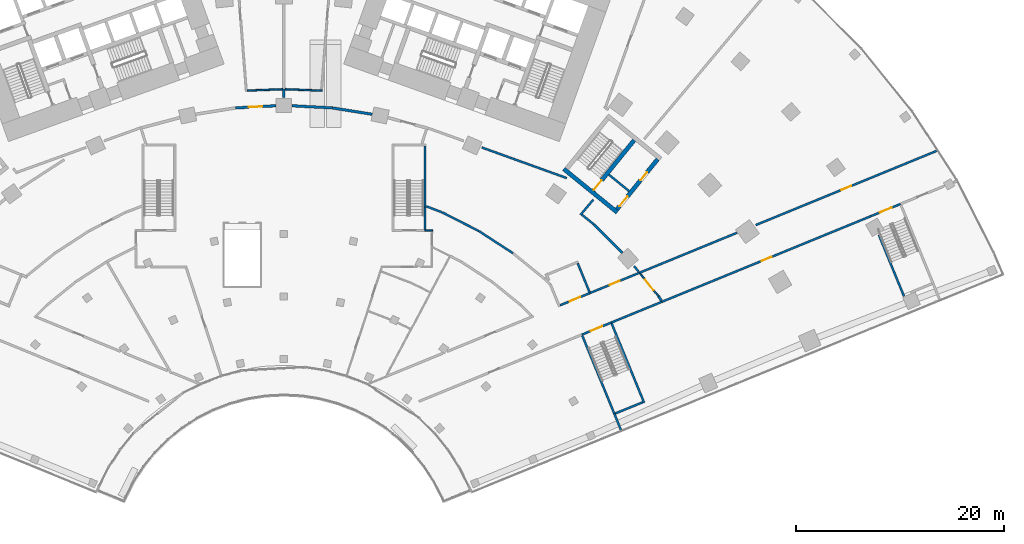
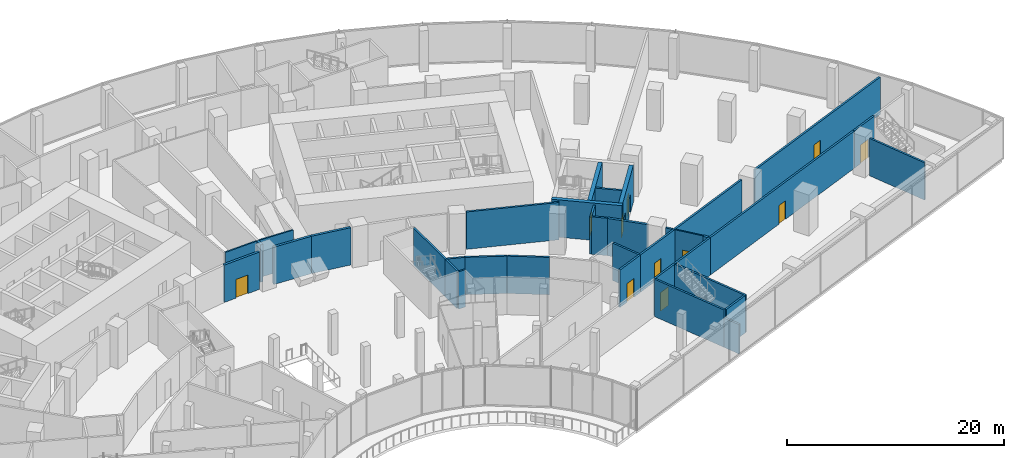
# One storey, part 26 of 40: 37 walls, 11 doors, 11 openings.
"""IFC4 building model written with IfcOpenShell, lengths in metres."""

import ifcopenshell
import ifcopenshell.guid

model = None  # the IFC model being written
_history = None  # IfcOwnerHistory: only IFC2X3 demands one
_inside = {}  # id of a spatial element -> (the spatial element, [elements in it])
_under = {}  # id of a project, library or spatial element -> (it, [spatial elements below it])
_declared = {}  # id of a project -> (the project, [libraries it declares])
_typed = {}  # id of a type object -> (the type object, [elements of that type])
_made_of = {}  # id of a material, layer set ... -> (it, [elements and type objects made of it])


def new_model(schema):
    """Start an empty IFC model of exactly this schema.

    Asked for "IFC4X3", IfcOpenShell would pick the latest addendum, in which some entities
    have other attributes; the version numbers below select the first issue.
    IFC2X3 requires an IfcOwnerHistory on every rooted entity: one is made here for all.
    """
    global model, _history
    if schema == "IFC4X3":
        model = ifcopenshell.file(schema_version=(4, 3, 0, 0))
    else:
        model = ifcopenshell.file(schema=schema)
    _inside.clear()
    _under.clear()
    _declared.clear()
    _typed.clear()
    _made_of.clear()
    _history = None
    if model.schema == "IFC2X3":
        org = make("IfcOrganization", Name="unknown")
        user = make(
            "IfcPersonAndOrganization",
            ThePerson=make("IfcPerson", FamilyName="unknown"),
            TheOrganization=org,
        )
        app = make(
            "IfcApplication",
            ApplicationDeveloper=org,
            Version="unknown",
            ApplicationFullName="unknown",
            ApplicationIdentifier="unknown",
        )
        _history = make(
            "IfcOwnerHistory",
            OwningUser=user,
            OwningApplication=app,
            ChangeAction="ADDED",
            CreationDate=0,
        )
    return model


def make(cls, **values):
    """One entity of the class cls with the attributes given. An attribute that is None is left unset."""
    return model.create_entity(
        cls, **{name: value for name, value in values.items() if value is not None}
    )


def rooted(cls, **values):
    """An entity with a GlobalId (a new one), such as an element, a storey or a relation."""
    return make(cls, GlobalId=ifcopenshell.guid.new(), OwnerHistory=_history, **values)


def si_unit(unit_type, name, prefix=None):
    """IfcSIUnit, for example si_unit("LENGTHUNIT", "METRE", prefix="MILLI")."""
    return make("IfcSIUnit", UnitType=unit_type, Prefix=prefix, Name=name)


def assignment(units):
    """IfcUnitAssignment: the units of a project."""
    return None if units is None else make("IfcUnitAssignment", Units=units)


def point(xyz):
    """IfcCartesianPoint."""
    return None if xyz is None else make("IfcCartesianPoint", Coordinates=xyz)


def direction(xyz):
    """IfcDirection."""
    return None if xyz is None else make("IfcDirection", DirectionRatios=xyz)


def frame(location, z_axis=None, x_axis=None):
    """IfcAxis2Placement3D, a coordinate frame: its origin and axes. An axis left out is left unset."""
    return make(
        "IfcAxis2Placement3D",
        Location=point(location),
        Axis=direction(z_axis),
        RefDirection=direction(x_axis),
    )


def frame_2d(location, x_axis=None):
    """IfcAxis2Placement2D, a coordinate frame in the plane: its origin and x axis."""
    return make(
        "IfcAxis2Placement2D", Location=point(location), RefDirection=direction(x_axis)
    )


def origin():
    """The frame at (0, 0, 0) with its axes left unset."""
    return frame((0.0, 0.0, 0.0))


def place(relative_to, where):
    """IfcLocalPlacement: puts the frame where relative to a parent placement (None: the world)."""
    return make(
        "IfcLocalPlacement", PlacementRelTo=relative_to, RelativePlacement=where
    )


def context(
    kind, dimensions, precision=None, world=None, true_north=None, identifier=None
):
    """IfcGeometricRepresentationContext, for example the 3D "Model" context."""
    return make(
        "IfcGeometricRepresentationContext",
        ContextIdentifier=identifier,
        ContextType=kind,
        CoordinateSpaceDimension=dimensions,
        Precision=precision,
        WorldCoordinateSystem=world,
        TrueNorth=true_north,
    )


def subcontext(parent, identifier, kind, view, scale=None):
    """IfcGeometricRepresentationSubContext, for example "Body" below "Model"."""
    return make(
        "IfcGeometricRepresentationSubContext",
        ContextIdentifier=identifier,
        ContextType=kind,
        ParentContext=parent,
        TargetScale=scale,
        TargetView=view,
    )


def project(units=None, contexts=None):
    """IfcProject with its units and contexts."""
    return rooted(
        "IfcProject",
        Name="project",
        RepresentationContexts=contexts,
        UnitsInContext=assignment(units),
    )


def spatial(cls, under=None, at=None, **own):
    """A site, building, storey or space (cls), placed at a placement, below another one or the project."""
    s = rooted(cls, ObjectPlacement=at, **own)
    if under is not None:
        _under.setdefault(under.id(), (under, []))[1].append(s)
    return s


def profile(cls, at=None, kind="AREA", **sizes):
    """A parametric profile (cls). Its sizes go by their IFC names, for example OverallWidth=200.0."""
    return make(cls, ProfileType=kind, Position=at, **sizes)


def rectangle(**sizes):
    """IfcRectangleProfileDef."""
    return profile("IfcRectangleProfileDef", **sizes)


def extrude(swept, where, along, depth):
    """IfcExtrudedAreaSolid: the profile swept, set in the frame where, extruded along a direction by depth."""
    return make(
        "IfcExtrudedAreaSolid",
        SweptArea=swept,
        Position=where,
        ExtrudedDirection=direction(along),
        Depth=depth,
    )


def shape(context_of_items, identifier, shape_type, items):
    """IfcShapeRepresentation: the items that make up one representation, for example the "Body"."""
    return make(
        "IfcShapeRepresentation",
        ContextOfItems=context_of_items,
        RepresentationIdentifier=identifier,
        RepresentationType=shape_type,
        Items=items,
    )


def material(Name=None, Category=None):
    """IfcMaterial."""
    return make("IfcMaterial", Name=Name, Category=Category)


def layer(
    of_material, thickness, ventilated=None, Name=None, Category=None, Priority=None
):
    """IfcMaterialLayer: one layer of a wall or slab, of a material (None: an air gap)."""
    return make(
        "IfcMaterialLayer",
        Material=of_material,
        LayerThickness=thickness,
        IsVentilated=ventilated,
        Name=Name,
        Category=Category,
        Priority=Priority,
    )


def layer_set(layers, Name=None):
    """IfcMaterialLayerSet."""
    return make("IfcMaterialLayerSet", MaterialLayers=layers, LayerSetName=Name)


def made_of(thing, what):
    """Note that an element or type object is made of a material, layer set ...; save() writes the relation."""
    if what is not None:
        _made_of.setdefault(what.id(), (what, []))[1].append(thing)
    return thing


def type_object(cls, material=None, **own):
    """A type object (cls), such as IfcWallType, which elements share."""
    return made_of(rooted(cls, **own), material)


def element(
    cls,
    number,
    at=None,
    inside=None,
    cuts=None,
    type_object=None,
    material=None,
    context=None,
    identifier="Body",
    shape_type=None,
    held_by="IfcProductDefinitionShape",
    body=None,
    shapes=None,
    **own,
):
    """One element of the class cls, such as IfcWall. Its Tag is "e" and its number.

    at: its placement. inside: the storey or other place that contains it. cuts: it is an
    opening in that element (IfcRelVoidsElement). A single representation is given by context,
    identifier, shape_type and body (its items); several are given by shapes. held_by: the class
    of the entity that holds the representations. save() writes the other relations.
    """
    e = rooted(cls, Tag="e%d" % number, ObjectPlacement=at, **own)
    if body is not None:
        shapes = [shape(context, identifier, shape_type, body)]
    if shapes is not None:
        e.Representation = make(held_by, Representations=shapes)
    if inside is not None:
        _inside.setdefault(inside.id(), (inside, []))[1].append(e)
    if cuts is not None:
        rooted(
            "IfcRelVoidsElement", RelatingBuildingElement=cuts, RelatedOpeningElement=e
        )
    if type_object is not None:
        _typed.setdefault(type_object.id(), (type_object, []))[1].append(e)
    return made_of(e, material)


def fill(opening, filler):
    """IfcRelFillsElement: the door or window that sits in an opening."""
    return rooted(
        "IfcRelFillsElement",
        RelatingOpeningElement=opening,
        RelatedBuildingElement=filler,
    )


def aggregate(whole, parts):
    """IfcRelAggregates: a whole, such as a stair, and the parts it consists of."""
    return rooted("IfcRelAggregates", RelatingObject=whole, RelatedObjects=parts)


def save(model, path):
    """Write the relations noted so far, then the file.

    IfcRelAggregates (storeys below a building ...), IfcRelContainedInSpatialStructure (elements
    in a storey), IfcRelDefinesByType, IfcRelAssociatesMaterial and IfcRelDeclares: one each for
    every whole, place, type object, material and project.
    """
    for whole, parts in _under.values():
        aggregate(whole, parts)
    for where, things in _inside.values():
        rooted(
            "IfcRelContainedInSpatialStructure",
            RelatedElements=things,
            RelatingStructure=where,
        )
    for kind, things in _typed.values():
        rooted("IfcRelDefinesByType", RelatedObjects=things, RelatingType=kind)
    for what, things in _made_of.values():
        rooted("IfcRelAssociatesMaterial", RelatedObjects=things, RelatingMaterial=what)
    for by, libraries in _declared.values():
        rooted("IfcRelDeclares", RelatingContext=by, RelatedDefinitions=libraries)
    model.write(path)


model = new_model("IFC4")

# Units and contexts
model_context = context("Model", 3, precision=1e-05, world=origin(), true_north=direction((0.0, 1.0)))
body_context = subcontext(model_context, "Body", "Model", "MODEL_VIEW")
ifc_project = project(units=[si_unit("LENGTHUNIT", "METRE"), si_unit("AREAUNIT", "SQUARE_METRE"), si_unit("VOLUMEUNIT", "CUBIC_METRE"), si_unit("PLANEANGLEUNIT", "RADIAN"), si_unit("MASSUNIT", "GRAM", prefix="KILO")], contexts=[model_context])

# Site, building, storey
site_placement = place(None, origin())
site = spatial("IfcSite", under=ifc_project, at=site_placement, CompositionType="ELEMENT")
building_placement = place(site_placement, origin())
building = spatial("IfcBuilding", under=site, at=building_placement, Name="Stone Belt Terrace Tower", CompositionType="ELEMENT")
storey_placement = place(building_placement, frame((0.0, 0.0, 7.0)))
storey = spatial("IfcBuildingStorey", under=building, at=storey_placement, Name="L01", CompositionType="ELEMENT", Elevation=7.0)

# Wall
ifc_material_1 = material(Name="Concrete B30", Category="concrete")
ifc_layer_1 = layer(ifc_material_1, 0.25)
ifc_layer_set_1 = layer_set([ifc_layer_1], Name="Compartment wall 250")
wall_type_1 = type_object("IfcWallType", Name="Compartment wall 250", PredefinedType="SOLIDWALL", material=ifc_layer_set_1)
wall_1_placement = place(storey_placement, frame((29.74462890625, 33.025390625, 0.0), z_axis=(0.0, 0.0, 1.0), x_axis=(0.707106781187, -0.707106781187, 0.0)))
element("IfcWall", 1, at=wall_1_placement, inside=storey, type_object=wall_type_1, Name="Compartment wall L01 13", PredefinedType="SOLIDWALL", context=body_context, shape_type="SweptSolid", body=[
    extrude(rectangle(XDim=3.8759765625, YDim=0.25, at=frame_2d((1.93798828125, 0.0))), origin(), (0.0, 0.0, 1.0), 4.199951171875),
])

# Wall, opening, door
ifc_material_2 = material(Name="Fire-resistant glazing in steel frame", Category="steel")
ifc_layer_2 = layer(ifc_material_2, 0.25)
ifc_layer_set_2 = layer_set([ifc_layer_2], Name="Glazed compartment fire screen 250")
wall_type_2 = type_object("IfcWallType", Name="Glazed compartment fire screen 250", PredefinedType="PARTITIONING", material=ifc_layer_set_2)
wall_2_placement = place(storey_placement, frame((-4.6435546875, 44.2001953125, 0.0), z_axis=(0.0, 0.0, 1.0), x_axis=(0.998555259213, 0.053734479607, 0.0)))
wall_2 = element("IfcWall", 2, at=wall_2_placement, inside=storey, type_object=wall_type_2, Name="Compartment fire screen L01 5", PredefinedType="PARTITIONING", context=body_context, shape_type="SweptSolid", body=[
    extrude(rectangle(XDim=3.880126953125, YDim=0.25, at=frame_2d((1.93994140625, 0.0))), origin(), (0.0, 0.0, 1.0), 4.199951171875),
])
opening_1_placement = place(wall_2_placement, frame((1.2900390625, 0.0, 0.0)))
opening_1 = element("IfcOpeningElement", 3, at=opening_1_placement, cuts=wall_2, Name="Opening L01-P36", PredefinedType="OPENING", context=body_context, shape_type="SweptSolid", body=[
    extrude(rectangle(XDim=1.300048828125, YDim=2.10009765625, at=frame_2d((0.64990234375, 1.050048828125))), frame((0.0, 0.135009765625, 0.0), z_axis=(0.0, -1.0, 0.0), x_axis=(1.0, 0.0, 0.0)), (0.0, 0.0, 1.0), 0.27001953125),
])
ifc_material_3 = material(Name="Steel framed fire door leaf", Category="steel")
door_type_1 = type_object("IfcDoorType", Name="Fire door 1300 x 2100 EI 60", OperationType="SINGLE_SWING_LEFT", PredefinedType="DOOR", material=ifc_material_3)
door_1_placement = place(opening_1_placement, origin())
door_1 = element("IfcDoor", 4, at=door_1_placement, inside=storey, type_object=door_type_1, Name="Fire door 1300 x 2100 EI 60", OperationType="SINGLE_SWING_LEFT", OverallHeight=2.10009765625, OverallWidth=1.300048828125, PredefinedType="DOOR", context=body_context, shape_type="SweptSolid", body=[
    extrude(rectangle(XDim=1.300048828125, YDim=2.10009765625, at=frame_2d((0.64990234375, 1.050048828125))), frame((0.0, 0.02490234375, 0.0), z_axis=(0.0, -1.0, 0.0), x_axis=(1.0, 0.0, 0.0)), (0.0, 0.0, 1.0), 0.050048828125),
])
fill(opening_1, door_1)

# Walls
wall_3_placement = place(storey_placement, frame((0.0, 45.215087890625, 0.0), z_axis=(0.0, 0.0, 1.0), x_axis=(0.0, 1.0, 0.0)))
element("IfcWall", 5, at=wall_3_placement, inside=storey, type_object=wall_type_2, Name="Compartment fire screen L01 6", PredefinedType="PARTITIONING", context=body_context, shape_type="SweptSolid", body=[
    extrude(rectangle(XDim=0.784912109375, YDim=0.25, at=frame_2d((0.392578125, 0.0))), origin(), (0.0, 0.0, 1.0), 4.199951171875),
])
wall_4_placement = place(storey_placement, frame((0.76904296875, 44.40869140625, 0.0), z_axis=(0.0, 0.0, 1.0), x_axis=(0.998555259213, -0.053734479607, 0.0)))
element("IfcWall", 6, at=wall_4_placement, inside=storey, type_object=wall_type_2, Name="Compartment fire screen L01 7", PredefinedType="PARTITIONING", context=body_context, shape_type="SweptSolid", body=[
    extrude(rectangle(XDim=3.880126953125, YDim=0.25, at=frame_2d((1.93994140625, 0.0))), origin(), (0.0, 0.0, 1.0), 4.199951171875),
])
wall_5_placement = place(storey_placement, frame((4.656494140625, 44.198974609375, 0.0), z_axis=(0.0, 0.0, 1.0), x_axis=(0.98758230791, -0.157102466888, 0.0)))
element("IfcWall", 7, at=wall_5_placement, inside=storey, type_object=wall_type_2, Name="Compartment fire screen L01 11", PredefinedType="PARTITIONING", context=body_context, shape_type="SweptSolid", body=[
    extrude(rectangle(XDim=3.87109375, YDim=0.25, at=frame_2d((1.935546875, 0.0))), origin(), (0.0, 0.0, 1.0), 4.199951171875),
])
wall_6_placement = place(storey_placement, frame((35.96337890625, 26.11474609375, 0.0), z_axis=(0.0, 0.0, 1.0), x_axis=(0.547424137073, -0.836855312554, 0.0)))
element("IfcWall", 8, at=wall_6_placement, inside=storey, type_object=wall_type_2, Name="Compartment fire screen L01 14", PredefinedType="PARTITIONING", context=body_context, shape_type="SweptSolid", body=[
    extrude(rectangle(XDim=0.4892578125, YDim=0.25, at=frame_2d((0.24462890625, 0.0))), origin(), (0.0, 0.0, 1.0), 4.199951171875),
])
ifc_material_4 = material(Name="Blockwork wall, plastered both faces", Category="masonry")
ifc_layer_3 = layer(ifc_material_4, 0.199951171875)
ifc_layer_set_3 = layer_set([ifc_layer_3], Name="Podium demising wall 200")
wall_type_3 = type_object("IfcWallType", Name="Podium demising wall 200", PredefinedType="PARTITIONING", material=ifc_layer_set_3)
wall_7_placement = place(storey_placement, frame((13.65234375, 34.763427734375, 0.0), z_axis=(0.0, 0.0, 1.0), x_axis=(0.934480751893, -0.356013657521, 0.0)))
element("IfcWall", 9, at=wall_7_placement, inside=storey, type_object=wall_type_3, Name="Podium demising wall 200", PredefinedType="PARTITIONING", context=body_context, shape_type="SweptSolid", body=[
    extrude(rectangle(XDim=1.66162109375, YDim=0.199951171875, at=frame_2d((0.830810546875, 0.0))), origin(), (0.0, 0.0, 1.0), 4.199951171875),
])
wall_8_placement = place(storey_placement, frame((18.987060546875, 40.40869140625, 0.0), z_axis=(0.0, 0.0, 1.0), x_axis=(0.940751227996, -0.339097518458, 0.0)))
element("IfcWall", 10, at=wall_8_placement, inside=storey, type_object=wall_type_3, Name="Podium demising wall 200", PredefinedType="PARTITIONING", context=body_context, shape_type="SweptSolid", body=[
    extrude(rectangle(XDim=8.666259765625, YDim=0.199951171875, at=frame_2d((4.3330078125, 0.0))), origin(), (0.0, 0.0, 1.0), 4.199951171875),
])
wall_9_placement = place(storey_placement, frame((15.21484375, 34.16748046875, 0.0), z_axis=(0.0, 0.0, 1.0), x_axis=(0.890824328321, -0.454347902022, 0.0)))
element("IfcWall", 11, at=wall_9_placement, inside=storey, type_object=wall_type_3, Name="Podium demising wall 200", PredefinedType="PARTITIONING", context=body_context, shape_type="SweptSolid", body=[
    extrude(rectangle(XDim=3.906982421875, YDim=0.199951171875, at=frame_2d((1.95361328125, 0.0))), origin(), (0.0, 0.0, 1.0), 4.199951171875),
])
wall_10_placement = place(storey_placement, frame((18.704345703125, 32.38720703125, 0.0), z_axis=(0.0, 0.0, 1.0), x_axis=(0.838682356888, -0.544620881206, 0.0)))
element("IfcWall", 12, at=wall_10_placement, inside=storey, type_object=wall_type_3, Name="Podium demising wall 200", PredefinedType="PARTITIONING", context=body_context, shape_type="SweptSolid", body=[
    extrude(rectangle(XDim=3.900390625, YDim=0.199951171875, at=frame_2d((1.9501953125, 0.0))), origin(), (0.0, 0.0, 1.0), 4.199951171875),
])
wall_11_placement = place(storey_placement, frame((28.465576171875, 33.93359375, 0.0), z_axis=(0.0, 0.0, 1.0), x_axis=(0.64401021966, 0.765016886724, 0.0)))
element("IfcWall", 13, at=wall_11_placement, inside=storey, type_object=wall_type_3, Name="Podium demising wall 200", PredefinedType="PARTITIONING", context=body_context, shape_type="SweptSolid", body=[
    extrude(rectangle(XDim=1.916748046875, YDim=0.199951171875, at=frame_2d((0.95849609375, 0.0))), origin(), (0.0, 0.0, 1.0), 4.199951171875),
])
wall_12_placement = place(storey_placement, frame((28.607666015625, 33.947021484375, 0.0), z_axis=(0.0, 0.0, 1.0), x_axis=(0.777064700949, -0.629420726175, 0.0)))
element("IfcWall", 14, at=wall_12_placement, inside=storey, type_object=wall_type_3, Name="Podium demising wall 200", PredefinedType="PARTITIONING", context=body_context, shape_type="SweptSolid", body=[
    extrude(rectangle(XDim=1.451904296875, YDim=0.199951171875, at=frame_2d((0.72607421875, 0.0))), origin(), (0.0, 0.0, 1.0), 4.199951171875),
])

# Wall, opening, door
wall_13_placement = place(storey_placement, frame((29.3701171875, 26.429931640625, 0.0), z_axis=(0.0, 0.0, 1.0), x_axis=(0.925357825015, 0.37909483732, 0.0)))
wall_13 = element("IfcWall", 15, at=wall_13_placement, inside=storey, type_object=wall_type_3, Name="Podium demising wall 200", PredefinedType="PARTITIONING", context=body_context, shape_type="SweptSolid", body=[
    extrude(rectangle(XDim=5.143798828125, YDim=0.199951171875, at=frame_2d((2.57177734375, 0.0))), origin(), (0.0, 0.0, 1.0), 4.199951171875),
])
opening_2_placement = place(wall_13_placement, frame((2.072021484375, 0.0, 0.0)))
opening_2 = element("IfcOpeningElement", 16, at=opening_2_placement, cuts=wall_13, Name="Opening L01-P33", PredefinedType="OPENING", context=body_context, shape_type="SweptSolid", body=[
    extrude(rectangle(XDim=1.0, YDim=2.10009765625, at=frame_2d((0.5, 1.050048828125))), frame((0.0, 0.10986328125, 0.0), z_axis=(0.0, -1.0, 0.0), x_axis=(1.0, 0.0, 0.0)), (0.0, 0.0, 1.0), 0.219970703125),
])
ifc_material_5 = material(Name="Steel framed door leaf", Category="steel")
door_type_2 = type_object("IfcDoorType", Name="Podium door single 1000", OperationType="SINGLE_SWING_LEFT", PredefinedType="DOOR", material=ifc_material_5)
door_2_placement = place(opening_2_placement, origin())
door_2 = element("IfcDoor", 17, at=door_2_placement, inside=storey, type_object=door_type_2, Name="Podium door single 1000", OperationType="SINGLE_SWING_LEFT", OverallHeight=2.10009765625, OverallWidth=1.0, PredefinedType="DOOR", context=body_context, shape_type="SweptSolid", body=[
    extrude(rectangle(XDim=1.0, YDim=2.10009765625, at=frame_2d((0.5, 1.050048828125))), frame((0.0, 0.02490234375, 0.0), z_axis=(0.0, -1.0, 0.0), x_axis=(1.0, 0.0, 0.0)), (0.0, 0.0, 1.0), 0.050048828125),
])
fill(opening_2, door_2)

# Walls
wall_14_placement = place(storey_placement, frame((31.420166015625, 23.60009765625, 0.0), z_axis=(0.0, 0.0, 1.0), x_axis=(0.925301943077, 0.379231214613, 0.0)))
element("IfcWall", 18, at=wall_14_placement, inside=storey, type_object=wall_type_3, Name="Podium demising wall 200", PredefinedType="PARTITIONING", context=body_context, shape_type="SweptSolid", body=[
    extrude(rectangle(XDim=5.27392578125, YDim=0.199951171875, at=frame_2d((2.636962890625, 0.0))), origin(), (0.0, 0.0, 1.0), 4.199951171875),
])
wall_15_placement = place(storey_placement, frame((31.72021484375, 14.83984375, 0.0), z_axis=(0.0, 0.0, 1.0), x_axis=(0.375412514618, -0.926857833688, 0.0)))
element("IfcWall", 19, at=wall_15_placement, inside=storey, type_object=wall_type_3, Name="Podium demising wall 200", PredefinedType="PARTITIONING", context=body_context, shape_type="SweptSolid", body=[
    extrude(rectangle(XDim=1.70458984375, YDim=0.199951171875, at=frame_2d((0.852294921875, 0.0))), origin(), (0.0, 0.0, 1.0), 3.300048828125),
])
wall_16_placement = place(storey_placement, frame((33.61474609375, 29.01708984375, 0.0), z_axis=(0.0, 0.0, 1.0), x_axis=(0.628859741569, -0.77751876211, 0.0)))
element("IfcWall", 20, at=wall_16_placement, inside=storey, type_object=wall_type_3, Name="Podium demising wall 200", PredefinedType="PARTITIONING", context=body_context, shape_type="SweptSolid", body=[
    extrude(rectangle(XDim=0.684814453125, YDim=0.199951171875, at=frame_2d((0.34228515625, 0.0))), origin(), (0.0, 0.0, 1.0), 4.199951171875),
])
wall_17_placement = place(storey_placement, frame((34.1298828125, 28.3798828125, 0.0), z_axis=(0.0, 0.0, 1.0), x_axis=(0.925199930232, 0.379480024638, 0.0)))
element("IfcWall", 21, at=wall_17_placement, inside=storey, type_object=wall_type_3, Name="Podium demising wall 200", PredefinedType="PARTITIONING", context=body_context, shape_type="SweptSolid", body=[
    extrude(rectangle(XDim=10.1083984375, YDim=0.199951171875, at=frame_2d((5.05419921875, 0.0))), origin(), (0.0, 0.0, 1.0), 4.199951171875),
])

# Wall, opening, door
wall_18_placement = place(storey_placement, frame((45.296630859375, 32.960205078125, 0.0), z_axis=(0.0, 0.0, 1.0), x_axis=(0.925202485475, 0.379473794709, 0.0)))
wall_18 = element("IfcWall", 22, at=wall_18_placement, inside=storey, type_object=wall_type_3, Name="Podium demising wall 200", PredefinedType="PARTITIONING", context=body_context, shape_type="SweptSolid", body=[
    extrude(rectangle(XDim=18.885986328125, YDim=0.199951171875, at=frame_2d((9.44287109375, 0.0))), origin(), (0.0, 0.0, 1.0), 4.199951171875),
])
opening_3_placement = place(wall_18_placement, frame((8.894287109375, 0.0, 0.0)))
opening_3 = element("IfcOpeningElement", 23, at=opening_3_placement, cuts=wall_18, Name="Opening L01-P34", PredefinedType="OPENING", context=body_context, shape_type="SweptSolid", body=[
    extrude(rectangle(XDim=1.0, YDim=2.10009765625, at=frame_2d((0.5, 1.050048828125))), frame((0.0, 0.10986328125, 0.0), z_axis=(0.0, -1.0, 0.0), x_axis=(1.0, 0.0, 0.0)), (0.0, 0.0, 1.0), 0.219970703125),
])
door_3_placement = place(opening_3_placement, origin())
door_3 = element("IfcDoor", 24, at=door_3_placement, inside=storey, type_object=door_type_2, Name="Podium door single 1000", OperationType="SINGLE_SWING_RIGHT", OverallHeight=2.10009765625, OverallWidth=1.0, PredefinedType="DOOR", context=body_context, shape_type="SweptSolid", body=[
    extrude(rectangle(XDim=1.0, YDim=2.10009765625, at=frame_2d((0.5, 1.050048828125))), frame((0.0, 0.02490234375, 0.0), z_axis=(0.0, -1.0, 0.0), x_axis=(1.0, 0.0, 0.0)), (0.0, 0.0, 1.0), 0.050048828125),
])
fill(opening_3, door_3)

wall_19_placement = place(storey_placement, frame((36.300048828125, 25.60009765625, 0.0), z_axis=(0.0, 0.0, 1.0), x_axis=(0.925325608597, 0.379173466997, 0.0)))
wall_19 = element("IfcWall", 25, at=wall_19_placement, inside=storey, type_object=wall_type_3, Name="Podium demising wall 200", PredefinedType="PARTITIONING", context=body_context, shape_type="SweptSolid", body=[
    extrude(rectangle(XDim=21.6787109375, YDim=0.199951171875, at=frame_2d((10.83935546875, 0.0))), origin(), (0.0, 0.0, 1.0), 4.199951171875),
])
opening_4_placement = place(wall_19_placement, frame((10.33935546875, 0.0, 0.0)))
opening_4 = element("IfcOpeningElement", 26, at=opening_4_placement, cuts=wall_19, Name="Opening L01-P21", PredefinedType="OPENING", context=body_context, shape_type="SweptSolid", body=[
    extrude(rectangle(XDim=1.0, YDim=2.10009765625, at=frame_2d((0.5, 1.050048828125))), frame((0.0, 0.10986328125, 0.0), z_axis=(0.0, -1.0, 0.0), x_axis=(1.0, 0.0, 0.0)), (0.0, 0.0, 1.0), 0.219970703125),
])
door_4_placement = place(opening_4_placement, origin())
door_4 = element("IfcDoor", 27, at=door_4_placement, inside=storey, type_object=door_type_2, Name="Podium door single 1000", OperationType="SINGLE_SWING_LEFT", OverallHeight=2.10009765625, OverallWidth=1.0, PredefinedType="DOOR", context=body_context, shape_type="SweptSolid", body=[
    extrude(rectangle(XDim=1.0, YDim=2.10009765625, at=frame_2d((0.5, 1.050048828125))), frame((0.0, 0.02490234375, 0.0), z_axis=(0.0, -1.0, 0.0), x_axis=(1.0, 0.0, 0.0)), (0.0, 0.0, 1.0), 0.050048828125),
])
fill(opening_4, door_4)

ifc_material_6 = material(Name="Reinforced blockwork wall, plastered both faces", Category="masonry")
ifc_layer_4 = layer(ifc_material_6, 0.199951171875)
ifc_layer_set_4 = layer_set([ifc_layer_4], Name="Podium lift shaft wall 200")
wall_type_4 = type_object("IfcWallType", Name="Podium lift shaft wall 200", PredefinedType="SOLIDWALL", material=ifc_layer_set_4)
wall_20_placement = place(storey_placement, frame((26.502685546875, 25.2578125, 0.0), z_axis=(0.0, 0.0, 1.0), x_axis=(0.925651120857, 0.378378121007, 0.0)))
wall_20 = element("IfcWall", 28, at=wall_20_placement, inside=storey, type_object=wall_type_4, Name="Podium lift shaft wall 200", PredefinedType="SOLIDWALL", context=body_context, shape_type="SweptSolid", body=[
    extrude(rectangle(XDim=3.09765625, YDim=0.199951171875, at=frame_2d((1.548828125, 0.0))), origin(), (0.0, 0.0, 1.0), 4.199951171875),
])
opening_5_placement = place(wall_20_placement, frame((0.998779296875, 0.0, 0.0)))
opening_5 = element("IfcOpeningElement", 29, at=opening_5_placement, cuts=wall_20, Name="Opening L01-P10", PredefinedType="OPENING", context=body_context, shape_type="SweptSolid", body=[
    extrude(rectangle(XDim=1.10009765625, YDim=2.10009765625, at=frame_2d((0.550048828125, 1.050048828125))), frame((0.0, 0.10986328125, 0.0), z_axis=(0.0, -1.0, 0.0), x_axis=(1.0, 0.0, 0.0)), (0.0, 0.0, 1.0), 0.219970703125),
])
ifc_material_7 = material(Name="Stainless steel sliding landing door leaf", Category="steel")
door_type_3 = type_object("IfcDoorType", Name="Podium landing door 1100", OperationType="SLIDING_TO_LEFT", PredefinedType="DOOR", material=ifc_material_7)
door_5_placement = place(opening_5_placement, origin())
door_5 = element("IfcDoor", 30, at=door_5_placement, inside=storey, type_object=door_type_3, Name="Podium landing door 1100", OperationType="SLIDING_TO_LEFT", OverallHeight=2.10009765625, OverallWidth=1.10009765625, PredefinedType="DOOR", context=body_context, shape_type="SweptSolid", body=[
    extrude(rectangle(XDim=1.10009765625, YDim=2.10009765625, at=frame_2d((0.550048828125, 1.050048828125))), frame((0.0, 0.02490234375, 0.0), z_axis=(0.0, -1.0, 0.0), x_axis=(1.0, 0.0, 0.0)), (0.0, 0.0, 1.0), 0.050048828125),
])
fill(opening_5, door_5)

# Walls
wall_21_placement = place(storey_placement, frame((28.19775390625, 29.29736328125, 0.0), z_axis=(0.0, 0.0, 1.0), x_axis=(0.378471104771, -0.925613106461, 0.0)))
element("IfcWall", 31, at=wall_21_placement, inside=storey, type_object=wall_type_4, Name="Podium lift shaft wall 200", PredefinedType="SOLIDWALL", context=body_context, shape_type="SweptSolid", body=[
    extrude(rectangle(XDim=2.99755859375, YDim=0.199951171875, at=frame_2d((1.498779296875, 0.0))), origin(), (0.0, 0.0, 1.0), 4.199951171875),
])
ifc_material_8 = material(Name="Gypsum board on steel stud partition", Category="steel")
ifc_layer_5 = layer(ifc_material_8, 0.14990234375)
ifc_layer_set_5 = layer_set([ifc_layer_5], Name="Podium partition 150")
wall_type_5 = type_object("IfcWallType", Name="Podium partition 150", PredefinedType="PARTITIONING", material=ifc_layer_set_5)
wall_22_placement = place(storey_placement, frame((-3.534912109375, 45.86279296875, 0.0), z_axis=(0.0, 0.0, 1.0), x_axis=(0.999247905954, 0.038776570847, 0.0)))
element("IfcWall", 32, at=wall_22_placement, inside=storey, type_object=wall_type_5, Name="Podium partition 150", PredefinedType="PARTITIONING", context=body_context, shape_type="SweptSolid", body=[
    extrude(rectangle(XDim=3.41259765625, YDim=0.14990234375, at=frame_2d((1.706298828125, 0.0))), origin(), (0.0, 0.0, 1.0), 4.199951171875),
])
wall_23_placement = place(storey_placement, frame((0.125, 45.9951171875, 0.0), z_axis=(0.0, 0.0, 1.0), x_axis=(0.999250202395, -0.038717347713, 0.0)))
element("IfcWall", 33, at=wall_23_placement, inside=storey, type_object=wall_type_5, Name="Podium partition 150", PredefinedType="PARTITIONING", context=body_context, shape_type="SweptSolid", body=[
    extrude(rectangle(XDim=3.562744140625, YDim=0.14990234375, at=frame_2d((1.78125, 0.0))), origin(), (0.0, 0.0, 1.0), 4.199951171875),
])
wall_24_placement = place(storey_placement, frame((13.530029296875, 32.43994140625, 0.0), z_axis=(0.0, 0.0, 1.0), x_axis=(1.0, 0.0, 0.0)))
element("IfcWall", 34, at=wall_24_placement, inside=storey, type_object=wall_type_5, Name="Podium partition 150", PredefinedType="PARTITIONING", context=body_context, shape_type="SweptSolid", body=[
    extrude(rectangle(XDim=0.744873046875, YDim=0.14990234375, at=frame_2d((0.37255859375, 0.0))), origin(), (0.0, 0.0, 1.0), 4.199951171875),
])

# Wall, opening, door
wall_25_placement = place(storey_placement, frame((34.20947265625, 28.28173828125, 0.0), z_axis=(0.0, 0.0, 1.0), x_axis=(0.629314529467, -0.777150708037, 0.0)))
wall_25 = element("IfcWall", 35, at=wall_25_placement, inside=storey, type_object=wall_type_5, Name="Podium partition 150", PredefinedType="PARTITIONING", context=body_context, shape_type="SweptSolid", body=[
    extrude(rectangle(XDim=2.777587890625, YDim=0.14990234375, at=frame_2d((1.388671875, 0.0))), origin(), (0.0, 0.0, 1.0), 4.199951171875),
])
opening_6_placement = place(wall_25_placement, frame((0.727783203125, 0.0, 0.0)))
opening_6 = element("IfcOpeningElement", 36, at=opening_6_placement, cuts=wall_25, Name="Opening L01-P42", PredefinedType="OPENING", context=body_context, shape_type="SweptSolid", body=[
    extrude(rectangle(XDim=1.300048828125, YDim=2.10009765625, at=frame_2d((0.64990234375, 1.050048828125))), frame((0.0, 0.0849609375, 0.0), z_axis=(0.0, -1.0, 0.0), x_axis=(1.0, 0.0, 0.0)), (0.0, 0.0, 1.0), 0.169921875),
])
door_6_placement = place(opening_6_placement, origin())
door_6 = element("IfcDoor", 37, at=door_6_placement, inside=storey, type_object=door_type_1, Name="Fire door 1300 x 2100 EI 60", OperationType="SINGLE_SWING_LEFT", OverallHeight=2.10009765625, OverallWidth=1.300048828125, PredefinedType="DOOR", context=body_context, shape_type="SweptSolid", body=[
    extrude(rectangle(XDim=1.300048828125, YDim=2.10009765625, at=frame_2d((0.64990234375, 1.050048828125))), frame((0.0, 0.02490234375, 0.0), z_axis=(0.0, -1.0, 0.0), x_axis=(1.0, 0.0, 0.0)), (0.0, 0.0, 1.0), 0.050048828125),
])
fill(opening_6, door_6)

# Walls
ifc_layer_6 = layer(ifc_material_1, 0.199951171875)
ifc_layer_set_6 = layer_set([ifc_layer_6], Name="Podium stair and shaft wall 200")
wall_type_6 = type_object("IfcWallType", Name="Podium stair and shaft wall 200", PredefinedType="SOLIDWALL", material=ifc_layer_set_6)
wall_26_placement = place(storey_placement, frame((13.530029296875, 32.5400390625, 0.0), z_axis=(0.0, 0.0, 1.0), x_axis=(0.0, 1.0, 0.0)))
element("IfcWall", 38, at=wall_26_placement, inside=storey, type_object=wall_type_6, Name="Podium stair and shaft wall 200", PredefinedType="SOLIDWALL", context=body_context, shape_type="SweptSolid", body=[
    extrude(rectangle(XDim=2.161865234375, YDim=0.199951171875, at=frame_2d((1.0810546875, 0.0))), origin(), (0.0, 0.0, 1.0), 4.199951171875),
])
wall_27_placement = place(storey_placement, frame((13.530029296875, 34.702880859375, 0.0), z_axis=(0.0, 0.0, 1.0), x_axis=(0.0, 1.0, 0.0)))
element("IfcWall", 39, at=wall_27_placement, inside=storey, type_object=wall_type_6, Name="Podium stair and shaft wall 200", PredefinedType="SOLIDWALL", context=body_context, shape_type="SweptSolid", body=[
    extrude(rectangle(XDim=5.857177734375, YDim=0.199951171875, at=frame_2d((2.9287109375, 0.0))), origin(), (0.0, 0.0, 1.0), 4.199951171875),
])

# Wall, opening, door
wall_28_placement = place(storey_placement, frame((28.60009765625, 22.43994140625, 0.0), z_axis=(0.0, 0.0, 1.0), x_axis=(0.924787502584, 0.380484001063, 0.0)))
wall_28 = element("IfcWall", 40, at=wall_28_placement, inside=storey, type_object=wall_type_6, Name="Podium stair and shaft wall 200", PredefinedType="SOLIDWALL", context=body_context, shape_type="SweptSolid", body=[
    extrude(rectangle(XDim=3.049072265625, YDim=0.199951171875, at=frame_2d((1.5244140625, 0.0))), origin(), (0.0, 0.0, 1.0), 4.199951171875),
])
opening_7_placement = place(wall_28_placement, frame((0.924560546875, 0.0, 0.0)))
opening_7 = element("IfcOpeningElement", 41, at=opening_7_placement, cuts=wall_28, Name="Opening L01-P03", PredefinedType="OPENING", context=body_context, shape_type="SweptSolid", body=[
    extrude(rectangle(XDim=1.199951171875, YDim=2.10009765625, at=frame_2d((0.60009765625, 1.050048828125))), frame((0.0, 0.10986328125, 0.0), z_axis=(0.0, -1.0, 0.0), x_axis=(1.0, 0.0, 0.0)), (0.0, 0.0, 1.0), 0.219970703125),
])
door_type_4 = type_object("IfcDoorType", Name="Podium door fire stair 1200", OperationType="SINGLE_SWING_LEFT", PredefinedType="DOOR", material=ifc_material_5)
door_7_placement = place(opening_7_placement, origin())
door_7 = element("IfcDoor", 42, at=door_7_placement, inside=storey, type_object=door_type_4, Name="Podium door fire stair 1200", OperationType="SINGLE_SWING_LEFT", OverallHeight=2.10009765625, OverallWidth=1.199951171875, PredefinedType="DOOR", context=body_context, shape_type="SweptSolid", body=[
    extrude(rectangle(XDim=1.199951171875, YDim=2.10009765625, at=frame_2d((0.60009765625, 1.050048828125))), frame((0.0, 0.02490234375, 0.0), z_axis=(0.0, -1.0, 0.0), x_axis=(1.0, 0.0, 0.0)), (0.0, 0.0, 1.0), 0.050048828125),
])
fill(opening_7, door_7)

# Walls
wall_29_placement = place(storey_placement, frame((28.637939453125, 22.347412109375, 0.0), z_axis=(0.0, 0.0, 1.0), x_axis=(0.379778190266, -0.925077578476, 0.0)))
element("IfcWall", 43, at=wall_29_placement, inside=storey, type_object=wall_type_6, Name="Podium stair and shaft wall 200", PredefinedType="SOLIDWALL", context=body_context, shape_type="SweptSolid", body=[
    extrude(rectangle(XDim=8.115234375, YDim=0.199951171875, at=frame_2d((4.0576171875, 0.0))), origin(), (0.0, 0.0, 1.0), 4.199951171875),
])
wall_30_placement = place(storey_placement, frame((31.4580078125, 23.507568359375, 0.0), z_axis=(0.0, 0.0, 1.0), x_axis=(0.379325073911, -0.925263469668, 0.0)))
element("IfcWall", 44, at=wall_30_placement, inside=storey, type_object=wall_type_6, Name="Podium stair and shaft wall 200", PredefinedType="SOLIDWALL", context=body_context, shape_type="SweptSolid", body=[
    extrude(rectangle(XDim=8.224853515625, YDim=0.199951171875, at=frame_2d((4.1123046875, 0.0))), origin(), (0.0, 0.0, 1.0), 4.199951171875),
])
wall_31_placement = place(storey_placement, frame((31.8125, 14.877685546875, 0.0), z_axis=(0.0, 0.0, 1.0), x_axis=(0.925976847494, 0.377580293322, 0.0)))
element("IfcWall", 45, at=wall_31_placement, inside=storey, type_object=wall_type_6, Name="Podium stair and shaft wall 200", PredefinedType="SOLIDWALL", context=body_context, shape_type="SweptSolid", body=[
    extrude(rectangle(XDim=2.845703125, YDim=0.199951171875, at=frame_2d((1.4228515625, 0.0))), origin(), (0.0, 0.0, 1.0), 4.199951171875),
])

# Wall, opening, door
wall_32_placement = place(storey_placement, frame((56.360107421875, 33.820068359375, 0.0), z_axis=(0.0, 0.0, 1.0), x_axis=(0.924815674246, 0.380415521068, 0.0)))
wall_32 = element("IfcWall", 46, at=wall_32_placement, inside=storey, type_object=wall_type_6, Name="Podium stair and shaft wall 200", PredefinedType="SOLIDWALL", context=body_context, shape_type="SweptSolid", body=[
    extrude(rectangle(XDim=3.049072265625, YDim=0.199951171875, at=frame_2d((1.5244140625, 0.0))), origin(), (0.0, 0.0, 1.0), 4.199951171875),
])
opening_8_placement = place(wall_32_placement, frame((0.924560546875, 0.0, 0.0)))
opening_8 = element("IfcOpeningElement", 47, at=opening_8_placement, cuts=wall_32, Name="Opening L01-P04", PredefinedType="OPENING", context=body_context, shape_type="SweptSolid", body=[
    extrude(rectangle(XDim=1.199951171875, YDim=2.10009765625, at=frame_2d((0.60009765625, 1.050048828125))), frame((0.0, 0.10986328125, 0.0), z_axis=(0.0, -1.0, 0.0), x_axis=(1.0, 0.0, 0.0)), (0.0, 0.0, 1.0), 0.219970703125),
])
door_8_placement = place(opening_8_placement, origin())
door_8 = element("IfcDoor", 48, at=door_8_placement, inside=storey, type_object=door_type_4, Name="Podium door fire stair 1200", OperationType="SINGLE_SWING_RIGHT", OverallHeight=2.10009765625, OverallWidth=1.199951171875, PredefinedType="DOOR", context=body_context, shape_type="SweptSolid", body=[
    extrude(rectangle(XDim=1.199951171875, YDim=2.10009765625, at=frame_2d((0.60009765625, 1.050048828125))), frame((0.0, 0.02490234375, 0.0), z_axis=(0.0, -1.0, 0.0), x_axis=(1.0, 0.0, 0.0)), (0.0, 0.0, 1.0), 0.050048828125),
])
fill(opening_8, door_8)

# Walls
wall_33_placement = place(storey_placement, frame((57.094482421875, 32.02880859375, 0.0), z_axis=(0.0, 0.0, 1.0), x_axis=(0.379309770486, -0.92526974338, 0.0)))
element("IfcWall", 49, at=wall_33_placement, inside=storey, type_object=wall_type_6, Name="Podium stair and shaft wall 200", PredefinedType="SOLIDWALL", context=body_context, shape_type="SweptSolid", body=[
    extrude(rectangle(XDim=6.388916015625, YDim=0.199951171875, at=frame_2d((3.1943359375, 0.0))), origin(), (0.0, 0.0, 1.0), 4.199951171875),
])
ifc_material_9 = material(Name="Concrete masonry block", Category="masonry")
ifc_layer_7 = layer(ifc_material_9, 0.199951171875)
ifc_layer_set_7 = layer_set([ifc_layer_7], Name="Rated lobby wall 200")
wall_type_7 = type_object("IfcWallType", Name="Rated lobby wall 200", PredefinedType="PARTITIONING", material=ifc_layer_set_7)
wall_34_placement = place(storey_placement, frame((31.190673828125, 37.79296875, 0.0), z_axis=(0.0, 0.0, 1.0), x_axis=(0.776370830301, -0.630276394813, 0.0)))
element("IfcWall", 50, at=wall_34_placement, inside=storey, type_object=wall_type_7, Name="Exit stair ST3B wall", PredefinedType="PARTITIONING", context=body_context, shape_type="SweptSolid", body=[
    extrude(rectangle(XDim=2.5, YDim=0.199951171875, at=frame_2d((1.25, 0.0))), origin(), (0.0, 0.0, 1.0), 4.199951171875),
])
ifc_material_10 = material(Name="Concrete B80", Category="concrete")
ifc_layer_8 = layer(ifc_material_10, 0.39990234375)
ifc_layer_set_8 = layer_set([ifc_layer_8], Name="Stair enclosure wall 400")
wall_type_8 = type_object("IfcWallType", Name="Stair enclosure wall 400", PredefinedType="SHEAR", material=ifc_layer_set_8)
wall_35_placement = place(storey_placement, frame((26.868408203125, 38.3388671875, 0.0), z_axis=(0.0, 0.0, 1.0), x_axis=(0.776428452498, -0.630205409491, 0.0)))
element("IfcWall", 51, at=wall_35_placement, inside=storey, type_object=wall_type_8, Name="Exit stair ST3B wall", PredefinedType="SHEAR", context=body_context, shape_type="SweptSolid", body=[
    extrude(rectangle(XDim=6.60009765625, YDim=0.39990234375, at=frame_2d((3.300048828125, 0.0))), origin(), (0.0, 0.0, 1.0), 4.199951171875),
])

# Wall, openings, doors
wall_36_placement = place(storey_placement, frame((31.963623046875, 34.460693359375, 0.0), z_axis=(0.0, 0.0, 1.0), x_axis=(0.630192283849, 0.776439106033, 0.0)))
wall_36 = element("IfcWall", 52, at=wall_36_placement, inside=storey, type_object=wall_type_8, Name="Exit stair ST3B wall", PredefinedType="SHEAR", context=body_context, shape_type="SweptSolid", body=[
    extrude(rectangle(XDim=6.199951171875, YDim=0.39990234375, at=frame_2d((3.10009765625, 0.0))), origin(), (0.0, 0.0, 1.0), 4.199951171875),
])
opening_9_placement = place(wall_36_placement, frame((0.39990234375, 0.0, 0.0)))
opening_9 = element("IfcOpeningElement", 53, at=opening_9_placement, cuts=wall_36, Name="Opening L01-C23", PredefinedType="OPENING", context=body_context, shape_type="SweptSolid", body=[
    extrude(rectangle(XDim=1.199951171875, YDim=2.10009765625, at=frame_2d((0.60009765625, 1.050048828125))), frame((0.0, 0.2099609375, 0.0), z_axis=(0.0, -1.0, 0.0), x_axis=(1.0, 0.0, 0.0)), (0.0, 0.0, 1.0), 0.419921875),
])
opening_10_placement = place(wall_36_placement, frame((3.60009765625, 0.0, 0.0)))
opening_10 = element("IfcOpeningElement", 54, at=opening_10_placement, cuts=wall_36, Name="Opening L01-C24", PredefinedType="OPENING", context=body_context, shape_type="SweptSolid", body=[
    extrude(rectangle(XDim=1.0, YDim=2.10009765625, at=frame_2d((0.5, 1.050048828125))), frame((0.0, 0.2099609375, 0.0), z_axis=(0.0, -1.0, 0.0), x_axis=(1.0, 0.0, 0.0)), (0.0, 0.0, 1.0), 0.419921875),
])
ifc_material_11 = material(Name="Timber door leaf", Category="wood")
door_type_5 = type_object("IfcDoorType", Name="Core room door 1000", OperationType="SINGLE_SWING_LEFT", PredefinedType="DOOR", material=ifc_material_11)
door_9_placement = place(opening_10_placement, origin())
door_9 = element("IfcDoor", 55, at=door_9_placement, inside=storey, type_object=door_type_5, Name="Door to stair pressurisation plant room ST3B", OperationType="SINGLE_SWING_RIGHT", OverallHeight=2.10009765625, OverallWidth=1.0, PredefinedType="DOOR", context=body_context, shape_type="SweptSolid", body=[
    extrude(rectangle(XDim=1.0, YDim=2.10009765625, at=frame_2d((0.5, 1.050048828125))), frame((0.0, 0.02490234375, 0.0), z_axis=(0.0, -1.0, 0.0), x_axis=(1.0, 0.0, 0.0)), (0.0, 0.0, 1.0), 0.050048828125),
])
fill(opening_10, door_9)
ifc_material_12 = material(Name="Steel door leaf", Category="steel")
door_type_6 = type_object("IfcDoorType", Name="Stair airlock door 1200", OperationType="SINGLE_SWING_LEFT", PredefinedType="DOOR", material=ifc_material_12)
door_10_placement = place(opening_9_placement, origin())
door_10 = element("IfcDoor", 56, at=door_10_placement, inside=storey, type_object=door_type_6, Name="Stair airlock door ST3B", OperationType="SINGLE_SWING_RIGHT", OverallHeight=2.10009765625, OverallWidth=1.199951171875, PredefinedType="DOOR", context=body_context, shape_type="SweptSolid", body=[
    extrude(rectangle(XDim=1.199951171875, YDim=2.10009765625, at=frame_2d((0.60009765625, 1.050048828125))), frame((0.0, 0.02490234375, 0.0), z_axis=(0.0, -1.0, 0.0), x_axis=(1.0, 0.0, 0.0)), (0.0, 0.0, 1.0), 0.050048828125),
])
fill(opening_9, door_10)

# Wall, opening, door
wall_37_placement = place(storey_placement, frame((29.7119140625, 36.288330078125, 0.0), z_axis=(0.0, 0.0, 1.0), x_axis=(0.630192283849, 0.776439106033, 0.0)))
wall_37 = element("IfcWall", 57, at=wall_37_placement, inside=storey, type_object=wall_type_8, Name="Exit stair ST3B wall", PredefinedType="SHEAR", context=body_context, shape_type="SweptSolid", body=[
    extrude(rectangle(XDim=6.199951171875, YDim=0.39990234375, at=frame_2d((3.10009765625, 0.0))), origin(), (0.0, 0.0, 1.0), 4.199951171875),
])
opening_11_placement = place(wall_37_placement, frame((0.050048828125, 0.0, 0.0)))
opening_11 = element("IfcOpeningElement", 58, at=opening_11_placement, cuts=wall_37, Name="Opening L01-C22", PredefinedType="OPENING", context=body_context, shape_type="SweptSolid", body=[
    extrude(rectangle(XDim=1.199951171875, YDim=2.10009765625, at=frame_2d((0.60009765625, 1.050048828125))), frame((0.0, 0.2099609375, 0.0), z_axis=(0.0, -1.0, 0.0), x_axis=(1.0, 0.0, 0.0)), (0.0, 0.0, 1.0), 0.419921875),
])
door_type_7 = type_object("IfcDoorType", Name="Stair door 1200", OperationType="SINGLE_SWING_LEFT", PredefinedType="DOOR", material=ifc_material_12)
door_11_placement = place(opening_11_placement, origin())
door_11 = element("IfcDoor", 59, at=door_11_placement, inside=storey, type_object=door_type_7, Name="Stair door ST3B", OperationType="SINGLE_SWING_LEFT", OverallHeight=2.10009765625, OverallWidth=1.199951171875, PredefinedType="DOOR", context=body_context, shape_type="SweptSolid", body=[
    extrude(rectangle(XDim=1.199951171875, YDim=2.10009765625, at=frame_2d((0.60009765625, 1.050048828125))), frame((0.0, 0.02490234375, 0.0), z_axis=(0.0, -1.0, 0.0), x_axis=(1.0, 0.0, 0.0)), (0.0, 0.0, 1.0), 0.050048828125),
])
fill(opening_11, door_11)

save(model, "model.ifc")
